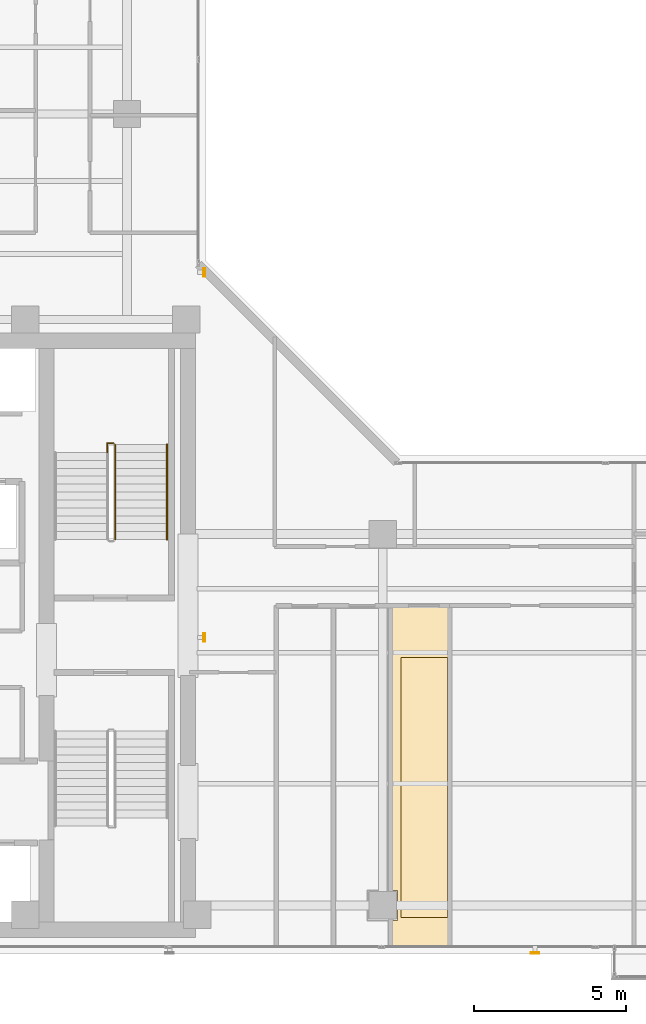
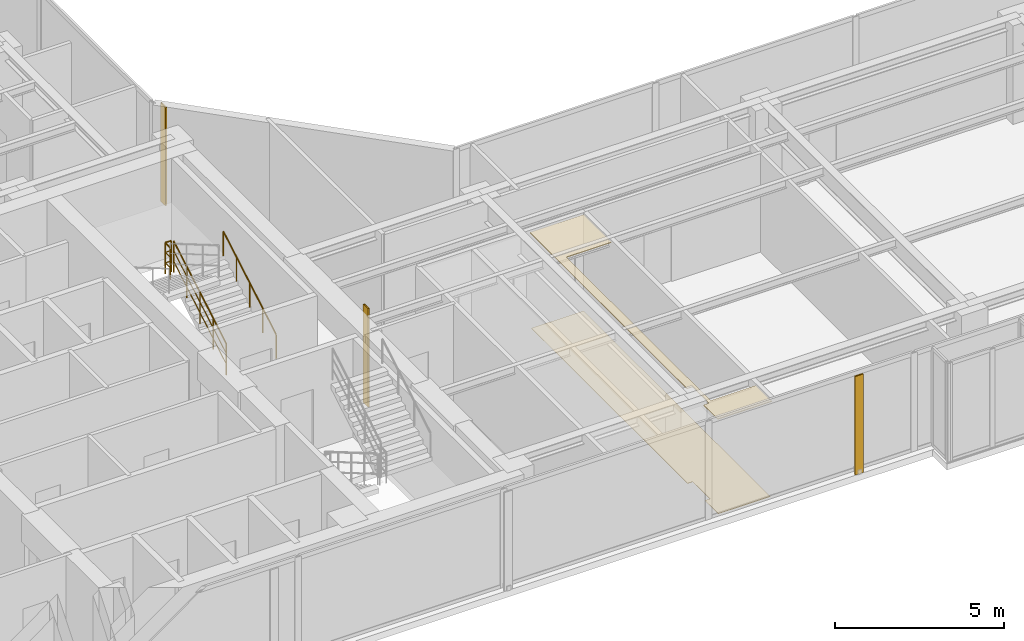
# One storey, part 21 of 23: 3 railings, 3 shading devices, 2 coverings.
"""IFC4 building model written with IfcOpenShell, lengths in metres."""

from ifc_helpers import new_model, si_unit, direction, frame, origin, origin_2d, place, context, subcontext, project, spatial, polyline, hollow_rectangle, circle, outline, extrude, material, layer, layer_set, material_profile, profile_set, type_object, element, save


model = new_model("IFC4")

# Units and contexts
model_context = context("Model", 3, precision=1e-05, world=origin(), true_north=direction((0.0, 1.0)))
body_context = subcontext(model_context, "Body", "Model", "MODEL_VIEW")
ifc_project = project(units=[si_unit("LENGTHUNIT", "METRE"), si_unit("AREAUNIT", "SQUARE_METRE"), si_unit("VOLUMEUNIT", "CUBIC_METRE"), si_unit("PLANEANGLEUNIT", "RADIAN"), si_unit("MASSUNIT", "GRAM", prefix="KILO")], contexts=[model_context])

# Site, building, storey
site_placement = place(None, origin())
site = spatial("IfcSite", under=ifc_project, at=site_placement, CompositionType="ELEMENT")
building_placement = place(site_placement, origin())
building = spatial("IfcBuilding", under=site, at=building_placement, Name="Kolvaren Waterfront Exchange", CompositionType="ELEMENT")
storey_placement = place(building_placement, frame((0.0, 0.0, 270.39990234375)))
storey = spatial("IfcBuildingStorey", under=building, at=storey_placement, Name="L69", CompositionType="ELEMENT", Elevation=270.39990234375)

# Covering
ifc_material_1 = material(Name="Mineral fibre acoustic ceiling tile")
ifc_layer_1 = layer(ifc_material_1, 0.02490234375, Name="Mineral fibre acoustic ceiling tile")
ifc_layer_set_1 = layer_set([ifc_layer_1], Name="Mineral fibre acoustic ceiling tile")
covering_type_1 = type_object("IfcCoveringType", Name="ARC-CEIL-ACOUSTIC-25", PredefinedType="CEILING", material=ifc_layer_set_1)
covering_1_placement = place(storey_placement, frame((0.0, 0.0, 3.445068359375)))
element("IfcCovering", 1, at=covering_1_placement, inside=storey, type_object=covering_type_1, Name="L69 acoustic suspended ceiling 3", PredefinedType="CEILING", context=body_context, shape_type="SweptSolid", body=[
    extrude(outline(polyline([(27.5048828125, 5.68994140625), (27.68994140625, 5.68994140625), (27.68994140625, 4.7099609375), (27.5048828125, 4.7099609375), (27.5048828125, 3.864990234375), (29.35498046875, 3.864990234375), (29.35498046875, 4.800048828125), (27.800048828125, 4.800048828125), (27.800048828125, 13.35009765625), (29.35498046875, 13.35009765625), (29.35498046875, 14.9951171875), (27.5048828125, 14.9951171875), (27.5048828125, 5.68994140625)])), origin(), (0.0, 0.0, 1.0), 0.025146484375),
])

# Shading devices
ifc_material_2 = material(Name="Anodised bronze aluminium 6063-T6", Category="aluminium")
ifc_material_profile = material_profile(ifc_material_2, hollow_rectangle(XDim=0.054931640625, YDim=0.280029296875, WallThickness=0.00439453125, at=origin_2d()), Name="BRZ-FIN-280x55x4.5")
ifc_profile_set = profile_set([ifc_material_profile], Name="Anodised bronze aluminium 6063-T6")
shading_device_type = type_object("IfcShadingDeviceType", Name="ARC-FIN-280", PredefinedType="USERDEFINED", material=ifc_profile_set)
for number, where, z_axis, x_axis, name in (
    (2, (32.199951171875, 3.639892578125, 0.0), (0.0, 0.0, 1.0), (0.0, -1.0, 0.0), "L69 anodised bronze solar shading fin FIN-L69-S3"),
    (3, (21.3388671875, 14.0, 0.0), (0.0, 0.0, 1.0), (1.0, 0.0, 0.0), "L69 anodised bronze solar shading fin FIN-L69-E1"),
    (4, (21.3388671875, 26.0, 0.0), (0.0, 0.0, 1.0), (1.0, 0.0, 0.0), "L69 anodised bronze solar shading fin FIN-L69-E2"),
):
    element("IfcShadingDevice", number, at=place(storey_placement, frame(where, z_axis=z_axis, x_axis=x_axis)), inside=storey, type_object=shading_device_type, Name=name, ObjectType="SOLAR FIN", PredefinedType="USERDEFINED", context=body_context, shape_type="SweptSolid", body=[
        extrude(hollow_rectangle(XDim=0.054931640625, YDim=0.280029296875, WallThickness=0.00439453125, at=origin_2d()), origin(), (0.0, 0.0, 1.0), 3.56005859375),
    ])

# Covering
ifc_material_3 = material(Name="Slip-resistant porcelain tile")
ifc_layer_2 = layer(ifc_material_3, 0.014892578125, Name="Slip-resistant porcelain tile")
ifc_layer_set_2 = layer_set([ifc_layer_2], Name="Slip-resistant porcelain tile")
covering_type_2 = type_object("IfcCoveringType", Name="ARC-FLR-PORC-15", PredefinedType="FLOORING", material=ifc_layer_set_2)
covering_2_placement = place(storey_placement, origin())
element("IfcCovering", 5, at=covering_2_placement, inside=storey, type_object=covering_type_2, Name="L69 floor finish 3", PredefinedType="FLOORING", context=body_context, shape_type="SweptSolid", body=[
    extrude(outline(polyline([(27.5400390625, 4.68994140625), (27.5400390625, 3.89990234375), (29.320068359375, 3.89990234375), (29.320068359375, 14.9599609375), (27.5400390625, 14.9599609375), (27.5400390625, 5.7099609375), (27.7099609375, 5.7099609375), (27.7099609375, 4.68994140625), (27.5400390625, 4.68994140625)])), origin(), (0.0, 0.0, 1.0), 0.01513671875),
])

# Railings
ifc_material_4 = material(Name="Stainless steel 316", Category="steel")
railing_type_1 = type_object("IfcRailingType", Name="ARC-GUARD-STAIR", PredefinedType="GUARDRAIL", material=ifc_material_4)
railing_1_placement = place(storey_placement, frame((18.409912109375, 17.219970703125, 0.152099609375)))
element("IfcRailing", 6, at=railing_1_placement, inside=storey, type_object=railing_type_1, Name="L69 ST2 stair guard 1", PredefinedType="GUARDRAIL", context=body_context, shape_type="SweptSolid", body=[
    extrude(circle(Radius=0.02392578125, at=origin_2d()), frame((0.0, 0.0, 1.1259765625), z_axis=(0.0, 0.86330811405, 0.504677223793), x_axis=(-1.0, 0.0, 0.0)), (0.0, 0.0, 1.0), 3.6142578125),
    extrude(circle(Radius=0.01611328125, at=origin_2d()), frame((0.0, 0.0, 0.390869140625), z_axis=(0.0, 0.86330811405, 0.504677223793), x_axis=(-1.0, 0.0, 0.0)), (0.0, 0.0, 1.0), 3.6142578125),
    extrude(circle(Radius=0.01611328125, at=origin_2d()), frame((0.0, 0.0, 0.7705078125), z_axis=(0.0, 0.86330811405, 0.504677223793), x_axis=(-1.0, 0.0, 0.0)), (0.0, 0.0, 1.0), 3.6142578125),
    extrude(circle(Radius=0.02099609375, at=origin_2d()), origin(), (0.0, 0.0, 1.0), 1.101806640625),
    extrude(circle(Radius=0.02099609375, at=origin_2d()), frame((0.0, 0.780029296875, 0.4560546875)), (0.0, 0.0, 1.0), 1.101806640625),
    extrude(circle(Radius=0.02099609375, at=origin_2d()), frame((0.0, 1.56005859375, 0.912109375)), (0.0, 0.0, 1.0), 1.101806640625),
    extrude(circle(Radius=0.02099609375, at=origin_2d()), frame((0.0, 2.340087890625, 1.367919921875)), (0.0, 0.0, 1.0), 1.101806640625),
    extrude(circle(Radius=0.02099609375, at=origin_2d()), frame((0.0, 3.1201171875, 1.823974609375)), (0.0, 0.0, 1.0), 1.101806640625),
])
railing_2_placement = place(storey_placement, frame((18.360107421875, 20.389892578125, 1.97607421875)))
element("IfcRailing", 7, at=railing_2_placement, inside=storey, type_object=railing_type_1, Name="L69 ST2 stair guard 2", PredefinedType="GUARDRAIL", context=body_context, shape_type="SweptSolid", body=[
    extrude(circle(Radius=0.02392578125, at=origin_2d()), frame((0.0, 0.0, 1.1259765625), z_axis=(-1.0, 0.0, 0.0), x_axis=(0.0, -1.0, 0.0)), (0.0, 0.0, 1.0), 0.210205078125),
    extrude(circle(Radius=0.01611328125, at=origin_2d()), frame((0.0, 0.0, 0.390869140625), z_axis=(-1.0, 0.0, 0.0), x_axis=(0.0, -1.0, 0.0)), (0.0, 0.0, 1.0), 0.210205078125),
    extrude(circle(Radius=0.01611328125, at=origin_2d()), frame((0.0, 0.0, 0.7705078125), z_axis=(-1.0, 0.0, 0.0), x_axis=(0.0, -1.0, 0.0)), (0.0, 0.0, 1.0), 0.210205078125),
    extrude(circle(Radius=0.02392578125, at=origin_2d()), frame((-0.210205078125, 0.0, 1.1259765625), z_axis=(0.0, -1.0, 0.0), x_axis=(1.0, 0.0, 0.0)), (0.0, 0.0, 1.0), 0.309814453125),
    extrude(circle(Radius=0.01611328125, at=origin_2d()), frame((-0.210205078125, 0.0, 0.390869140625), z_axis=(0.0, -1.0, 0.0), x_axis=(1.0, 0.0, 0.0)), (0.0, 0.0, 1.0), 0.309814453125),
    extrude(circle(Radius=0.01611328125, at=origin_2d()), frame((-0.210205078125, 0.0, 0.7705078125), z_axis=(0.0, -1.0, 0.0), x_axis=(1.0, 0.0, 0.0)), (0.0, 0.0, 1.0), 0.309814453125),
    extrude(circle(Radius=0.02099609375, at=origin_2d()), origin(), (0.0, 0.0, 1.0), 1.101806640625),
    extrude(circle(Radius=0.02099609375, at=origin_2d()), frame((-0.210205078125, 0.0, 0.0)), (0.0, 0.0, 1.0), 1.101806640625),
    extrude(circle(Radius=0.02099609375, at=origin_2d()), frame((-0.210205078125, -0.309814453125, 0.0)), (0.0, 0.0, 1.0), 1.101806640625),
])
railing_type_2 = type_object("IfcRailingType", Name="ARC-HANDRAIL-900", PredefinedType="HANDRAIL", material=ifc_material_4)
railing_3_placement = place(storey_placement, frame((20.110107421875, 17.219970703125, 0.152099609375)))
element("IfcRailing", 8, at=railing_3_placement, inside=storey, type_object=railing_type_2, Name="L69 ST2 stair handrail 1", PredefinedType="HANDRAIL", context=body_context, shape_type="SweptSolid", body=[
    extrude(circle(Radius=0.02392578125, at=origin_2d()), frame((0.0, 0.0, 0.8759765625), z_axis=(0.0, 0.86330811405, 0.504677223793), x_axis=(-1.0, 0.0, 0.0)), (0.0, 0.0, 1.0), 3.6142578125),
    extrude(circle(Radius=0.02099609375, at=origin_2d()), origin(), (0.0, 0.0, 1.0), 0.851806640625),
    extrude(circle(Radius=0.02099609375, at=origin_2d()), frame((0.0, 0.780029296875, 0.4560546875)), (0.0, 0.0, 1.0), 0.851806640625),
    extrude(circle(Radius=0.02099609375, at=origin_2d()), frame((0.0, 1.56005859375, 0.912109375)), (0.0, 0.0, 1.0), 0.851806640625),
    extrude(circle(Radius=0.02099609375, at=origin_2d()), frame((0.0, 2.340087890625, 1.367919921875)), (0.0, 0.0, 1.0), 0.851806640625),
    extrude(circle(Radius=0.02099609375, at=origin_2d()), frame((0.0, 3.1201171875, 1.823974609375)), (0.0, 0.0, 1.0), 0.851806640625),
])

save(model, "model.ifc")
